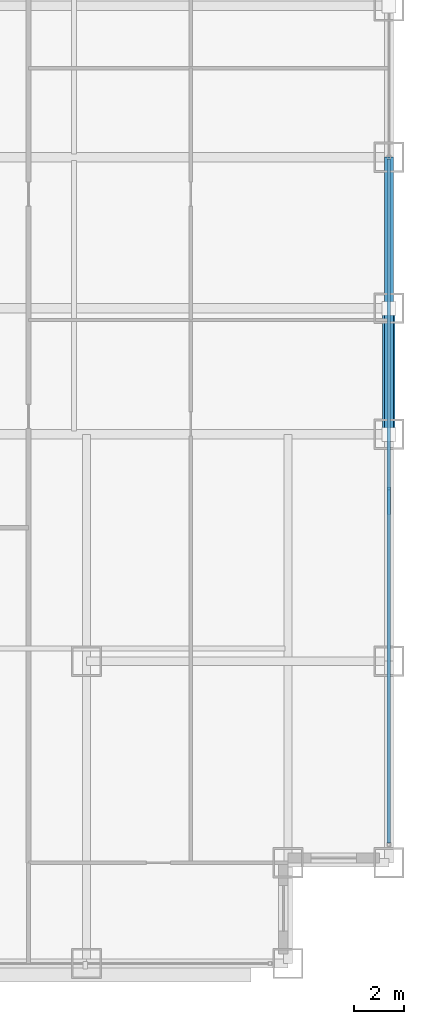
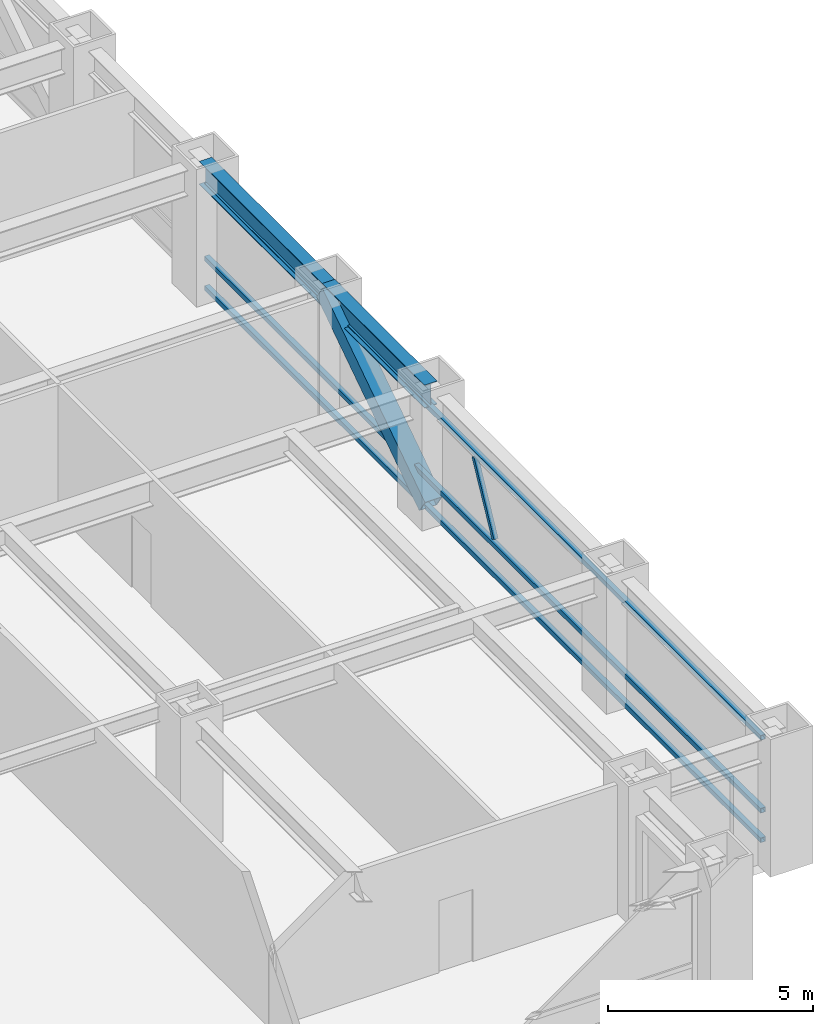
# One storey, part 13 of 32: 5 members, 2 beams, 1 element without a shape of its own.
"""IFC4 building model written with IfcOpenShell, lengths in metres."""

from ifc_helpers import new_model, si_unit, direction, frame, origin, origin_2d, place, context, subcontext, project, spatial, hollow_rectangle, i_section, extrude, source, transform, mapped, material, material_profile, profile_set, type_object, element, aggregate, save


model = new_model("IFC4")

# Units and contexts
model_context = context("Model", 3, precision=1e-05, world=origin(), true_north=direction((0.0, 1.0)))
body_context = subcontext(model_context, "Body", "Model", "MODEL_VIEW")
ifc_project = project(units=[si_unit("LENGTHUNIT", "METRE"), si_unit("AREAUNIT", "SQUARE_METRE"), si_unit("VOLUMEUNIT", "CUBIC_METRE"), si_unit("PLANEANGLEUNIT", "RADIAN"), si_unit("MASSUNIT", "GRAM", prefix="KILO")], contexts=[model_context])

# Site, building, storey
site_placement = place(None, origin())
site = spatial("IfcSite", under=ifc_project, at=site_placement, CompositionType="ELEMENT")
building_placement = place(site_placement, origin())
building = spatial("IfcBuilding", under=site, at=building_placement, Name="Khorayat Bourse Tower", CompositionType="ELEMENT")
storey_placement = place(building_placement, frame((0.0, 0.0, 128.300048828125)))
storey = spatial("IfcBuildingStorey", under=building, at=storey_placement, Name="L29", CompositionType="ELEMENT", Elevation=128.300048828125)

# Beams
ifc_material_1 = material(Name="Steel ASTM A992 Grade 50", Category="steel")
ifc_material_profile_1 = material_profile(ifc_material_1, i_section(OverallWidth=0.35498046875, OverallDepth=0.695068359375, WebThickness=0.015380859375, FlangeThickness=0.02490234375, FilletRadius=0.01806640625, at=origin_2d()), Name="W690X217")
ifc_profile_set_1 = profile_set([ifc_material_profile_1], Name="Steel ASTM A992 Grade 50")
beam_type = type_object("IfcBeamType", Name="BM-SPAN-690", PredefinedType="SPANDREL", material=ifc_profile_set_1)
shared_shape_1 = source(origin(), body_context, "Body", "SweptSolid", [
    extrude(i_section(OverallWidth=0.35498046875, OverallDepth=0.695068359375, WebThickness=0.015380859375, FlangeThickness=0.02490234375, FilletRadius=0.01806640625, at=origin_2d()), origin(), (0.0, 0.0, 1.0), 5.0),
])
beam_1_placement = place(storey_placement, frame((32.0, -11.0, 3.492431640625), z_axis=(0.0, 1.0, 0.0), x_axis=(-1.0, 0.0, 0.0)))
element("IfcBeam", 1, at=beam_1_placement, inside=storey, type_object=beam_type, Name="L29 BM-SPAN-690 BM-L29-SPN-036", PredefinedType="SPANDREL", context=body_context, shape_type="MappedRepresentation", body=[
    mapped(shared_shape_1, transform((0.0, 0.0, 0.0), scale=1.0)),
])
shared_shape_2 = source(origin(), body_context, "Body", "SweptSolid", [
    extrude(i_section(OverallWidth=0.35498046875, OverallDepth=0.695068359375, WebThickness=0.015380859375, FlangeThickness=0.02490234375, FilletRadius=0.01806640625, at=origin_2d()), origin(), (0.0, 0.0, 1.0), 6.0),
])
beam_2_placement = place(storey_placement, frame((32.0, -6.0, 3.492431640625), z_axis=(0.0, 1.0, 0.0), x_axis=(-1.0, 0.0, 0.0)))
element("IfcBeam", 2, at=beam_2_placement, inside=storey, type_object=beam_type, Name="L29 BM-SPAN-690 BM-L29-SPN-037", PredefinedType="SPANDREL", context=body_context, shape_type="MappedRepresentation", body=[
    mapped(shared_shape_2, transform((0.0, 0.0, 0.0), scale=1.0)),
])

# Member
ifc_material_2 = material(Name="Steel EN 10025-4 S460M", Category="steel")
ifc_material_profile_2 = material_profile(ifc_material_2, hollow_rectangle(XDim=0.5, YDim=0.5, WallThickness=0.028076171875, at=origin_2d()), Name="HSS 500x500x28")
ifc_profile_set_2 = profile_set([ifc_material_profile_2], Name="Steel EN 10025-4 S460M")
member_type_1 = type_object("IfcMemberType", Name="MBR-TUBE-500", PredefinedType="BRACE", material=ifc_profile_set_2)
shared_shape_3 = source(origin(), body_context, "Body", "SweptSolid", [
    extrude(hollow_rectangle(XDim=0.5, YDim=0.5, WallThickness=0.028076171875, at=origin_2d()), origin(), (0.0, 0.0, 1.0), 6.012939453125),
])
member_1_placement = place(storey_placement, frame((32.0, -11.0, 0.25), z_axis=(0.0, 0.831550226979, 0.555449565677), x_axis=(-1.0, 0.0, 0.0)))
element("IfcMember", 3, at=member_1_placement, inside=storey, type_object=member_type_1, Name="L29 Perimeter Tube Brace 07", PredefinedType="BRACE", context=body_context, shape_type="MappedRepresentation", body=[
    mapped(shared_shape_3, transform((0.0, 0.0, 0.0), scale=1.0)),
])

# Curtain wall, members
ifc_material_3 = material(Name="Aluminium EN AW-6063 T6", Category="aluminium")
curtain_wall_type = type_object("IfcCurtainWallType", Name="CW-SYS-02", PredefinedType="NOTDEFINED", material=ifc_material_3)
curtain_wall_placement = place(storey_placement, origin())
curtain_wall = element("IfcCurtainWall", 4, at=curtain_wall_placement, inside=storey, type_object=curtain_wall_type, Name="L29 Curtain Wall CW-L29-E1", PredefinedType="NOTDEFINED")
ifc_material_profile_3 = material_profile(ifc_material_3, hollow_rectangle(XDim=0.139892578125, YDim=0.139892578125, WallThickness=0.006103515625, at=origin_2d()), Name="ALU 140x140x6")
ifc_profile_set_3 = profile_set([ifc_material_profile_3], Name="Aluminium EN AW-6063 T6")
member_type_2 = type_object("IfcMemberType", Name="CWT-HORZ-140", PredefinedType="USERDEFINED", material=ifc_profile_set_3)
shared_shape_4 = source(origin(), body_context, "Body", "SweptSolid", [
    extrude(hollow_rectangle(XDim=0.139892578125, YDim=0.139892578125, WallThickness=0.006103515625, at=origin_2d()), origin(), (0.0, 0.0, 1.0), 27.139892578125),
])
member_2_placement = place(storey_placement, frame((32.0, -27.2099609375, 0.070068359375), z_axis=(0.0, 1.0, 0.0), x_axis=(-1.0, 0.0, 0.0)))
member_2 = element("IfcMember", 5, at=member_2_placement, type_object=member_type_2, Name="CW-L29-E1 Horizontal Transom 1-1", ObjectType="TRANSOM", PredefinedType="USERDEFINED", context=body_context, shape_type="MappedRepresentation", body=[
    mapped(shared_shape_4, transform((0.0, 0.0, 0.0), scale=1.0)),
])
member_3_placement = place(storey_placement, frame((32.0, -27.2099609375, 0.949951171875), z_axis=(0.0, 1.0, 0.0), x_axis=(-1.0, 0.0, 0.0)))
member_3 = element("IfcMember", 6, at=member_3_placement, type_object=member_type_2, Name="CW-L29-E1 Horizontal Transom 1-2", ObjectType="TRANSOM", PredefinedType="USERDEFINED", context=body_context, shape_type="MappedRepresentation", body=[
    mapped(shared_shape_4, transform((0.0, 0.0, 0.0), scale=1.0)),
])
member_4_placement = place(storey_placement, frame((32.0, -27.2099609375, 3.119873046875), z_axis=(0.0, 1.0, 0.0), x_axis=(-1.0, 0.0, 0.0)))
member_4 = element("IfcMember", 7, at=member_4_placement, type_object=member_type_2, Name="CW-L29-E1 Horizontal Transom 1-3", ObjectType="TRANSOM", PredefinedType="USERDEFINED", context=body_context, shape_type="MappedRepresentation", body=[
    mapped(shared_shape_4, transform((0.0, 0.0, 0.0), scale=1.0)),
])
ifc_material_profile_4 = material_profile(ifc_material_3, hollow_rectangle(XDim=0.1201171875, YDim=0.1201171875, WallThickness=0.0048828125, at=origin_2d()), Name="ALU 120x120x5")
ifc_profile_set_4 = profile_set([ifc_material_profile_4], Name="Aluminium EN AW-6063 T6")
member_type_3 = type_object("IfcMemberType", Name="CWM-DIAG-120", PredefinedType="MULLION", material=ifc_profile_set_4)
shared_shape_5 = source(origin(), body_context, "Body", "SweptSolid", [
    extrude(hollow_rectangle(XDim=0.1201171875, YDim=0.1201171875, WallThickness=0.0048828125, at=origin_2d()), origin(), (0.0, 0.0, 1.0), 2.11328125),
])
member_5_placement = place(storey_placement, frame((32.0, -14.132080078125, 1.099853515625), z_axis=(0.0, 0.465694055905, 0.884945787207), x_axis=(-1.0, 0.0, 0.0)))
member_5 = element("IfcMember", 8, at=member_5_placement, type_object=member_type_3, Name="CW-L29-E1 Faceted Diagonal Mullion 1", PredefinedType="MULLION", context=body_context, shape_type="MappedRepresentation", body=[
    mapped(shared_shape_5, transform((0.0, 0.0, 0.0), scale=1.0)),
])
aggregate(curtain_wall, [member_2, member_3, member_4, member_5])

save(model, "model.ifc")
